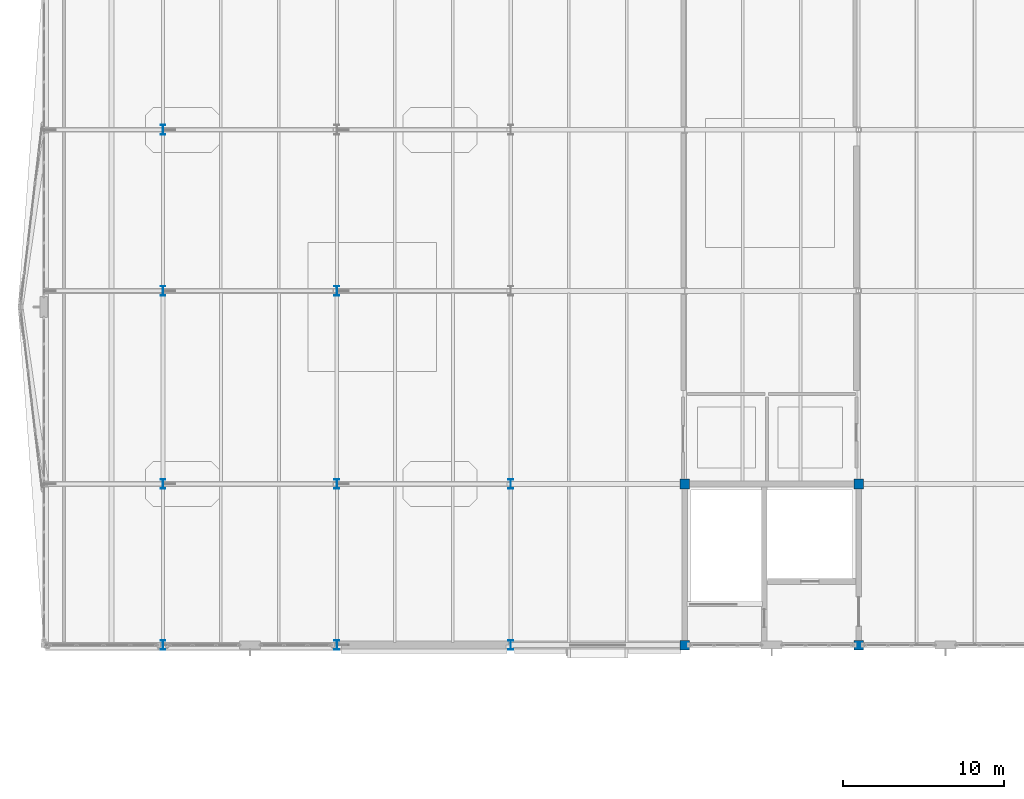
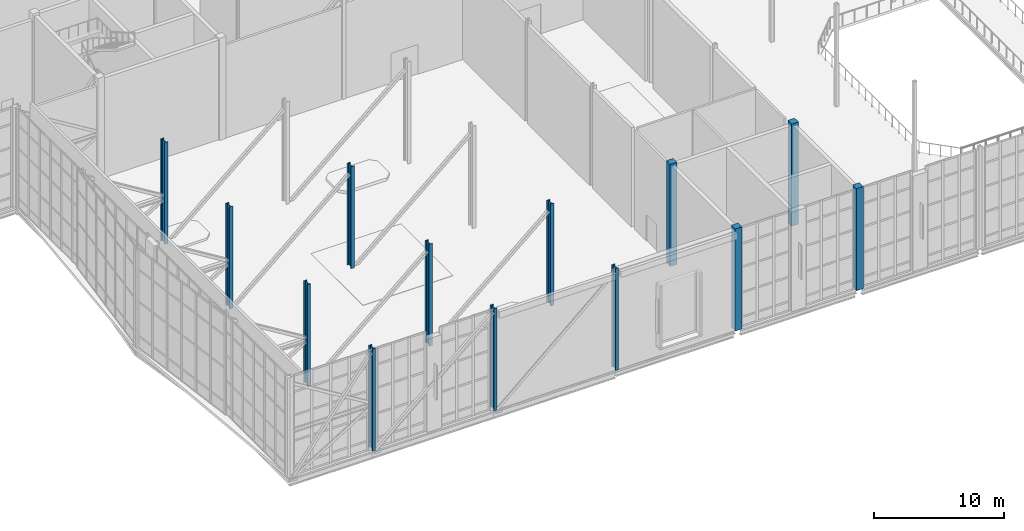
# One storey, part 1 of 100: 13 columns.
"""IFC4 building model written with IfcOpenShell, lengths in metres."""

from ifc_helpers import new_model, si_unit, direction, frame, origin, origin_2d, place, context, subcontext, project, spatial, rectangle, i_section, extrude, material, material_profile, profile_set, type_object, element, save


model = new_model("IFC4")

# Units and contexts
model_context = context("Model", 3, precision=1e-05, world=origin(), true_north=direction((0.0, 1.0)))
body_context = subcontext(model_context, "Body", "Model", "MODEL_VIEW")
ifc_project = project(units=[si_unit("LENGTHUNIT", "METRE"), si_unit("AREAUNIT", "SQUARE_METRE"), si_unit("VOLUMEUNIT", "CUBIC_METRE"), si_unit("PLANEANGLEUNIT", "RADIAN"), si_unit("MASSUNIT", "GRAM", prefix="KILO")], contexts=[model_context])

# Site, building, storey
site_placement = place(None, origin())
site = spatial("IfcSite", under=ifc_project, at=site_placement, CompositionType="ELEMENT")
building_placement = place(site_placement, origin())
building = spatial("IfcBuilding", under=site, at=building_placement, Name="Tasgan Crest Museum", CompositionType="ELEMENT")
storey_placement = place(building_placement, frame((0.0, 0.0, 14.39990234375)))
storey = spatial("IfcBuildingStorey", under=building, at=storey_placement, Name="L03", CompositionType="ELEMENT", Elevation=14.39990234375)

# Columns
ifc_material_1 = material(Name="Steel S355K2", Category="steel")
ifc_material_profile_1 = material_profile(ifc_material_1, i_section(OverallWidth=0.300048828125, OverallDepth=0.60009765625, WebThickness=0.015380859375, FlangeThickness=0.030029296875, FilletRadius=0.027099609375, at=origin_2d()), Name="HEB 600")
ifc_profile_set_1 = profile_set([ifc_material_profile_1], Name="Steel S355K2")
column_type_1 = type_object("IfcColumnType", Name="COL-HEB600", PredefinedType="COLUMN", material=ifc_profile_set_1)
for number, where, z_axis, x_axis, name in (
    (1, (10.800048828125, 40.0, 0.0), (0.0, 0.0, 1.0), (1.0, 0.0, 0.0), "Column 2/E L03"),
    (2, (10.800048828125, 50.0, 0.0), (0.0, 0.0, 1.0), (1.0, 0.0, 0.0), "Column 2/F L03"),
    (3, (10.800048828125, 62.0, 0.0), (0.0, 0.0, 1.0), (1.0, 0.0, 0.0), "Column 2/G L03"),
    (4, (10.800048828125, 72.0, 0.0), (0.0, 0.0, 1.0), (1.0, 0.0, 0.0), "Column 2/H L03"),
    (5, (21.60009765625, 40.0, 0.0), (0.0, 0.0, 1.0), (1.0, 0.0, 0.0), "Column 3/E L03"),
    (6, (21.60009765625, 50.0, 0.0), (0.0, 0.0, 1.0), (1.0, 0.0, 0.0), "Column 3/F L03"),
    (7, (21.60009765625, 62.0, 0.0), (0.0, 0.0, 1.0), (1.0, 0.0, 0.0), "Column 3/G L03"),
    (8, (32.39990234375, 40.0, 0.0), (0.0, 0.0, 1.0), (1.0, 0.0, 0.0), "Column 4/E L03"),
    (9, (32.39990234375, 50.0, 0.0), (0.0, 0.0, 1.0), (1.0, 0.0, 0.0), "Column 4/F L03"),
):
    element("IfcColumn", number, at=place(storey_placement, frame(where, z_axis=z_axis, x_axis=x_axis)), inside=storey, type_object=column_type_1, Name=name, PredefinedType="COLUMN", context=body_context, shape_type="SweptSolid", body=[
        extrude(i_section(OverallWidth=0.300048828125, OverallDepth=0.60009765625, WebThickness=0.015380859375, FlangeThickness=0.030029296875, FilletRadius=0.027099609375, at=origin_2d()), origin(), (0.0, 0.0, 1.0), 9.60009765625),
    ])
ifc_material_2 = material(Name="Concrete C40/50", Category="concrete")
ifc_material_profile_2 = material_profile(ifc_material_2, rectangle(XDim=0.60009765625, YDim=0.60009765625, at=origin_2d()), Name="RC 600x600")
ifc_profile_set_2 = profile_set([ifc_material_profile_2], Name="Concrete C40/50")
column_type_2 = type_object("IfcColumnType", Name="COL-RC600", PredefinedType="COLUMN", material=ifc_profile_set_2)
for number, where, z_axis, x_axis, name in (
    (10, (43.199951171875, 40.0, 0.0), (0.0, 0.0, 1.0), (1.0, 0.0, 0.0), "Column 5/E L03"),
    (11, (43.199951171875, 50.0, 0.0), (0.0, 0.0, 1.0), (1.0, 0.0, 0.0), "Column 5/F L03"),
    (12, (54.0, 40.0, 0.0), (0.0, 0.0, 1.0), (1.0, 0.0, 0.0), "Column 6/E L03"),
    (13, (54.0, 50.0, 0.0), (0.0, 0.0, 1.0), (1.0, 0.0, 0.0), "Column 6/F L03"),
):
    element("IfcColumn", number, at=place(storey_placement, frame(where, z_axis=z_axis, x_axis=x_axis)), inside=storey, type_object=column_type_2, Name=name, PredefinedType="COLUMN", context=body_context, shape_type="SweptSolid", body=[
        extrude(rectangle(XDim=0.60009765625, YDim=0.60009765625, at=origin_2d()), origin(), (0.0, 0.0, 1.0), 9.60009765625),
    ])

save(model, "model.ifc")
